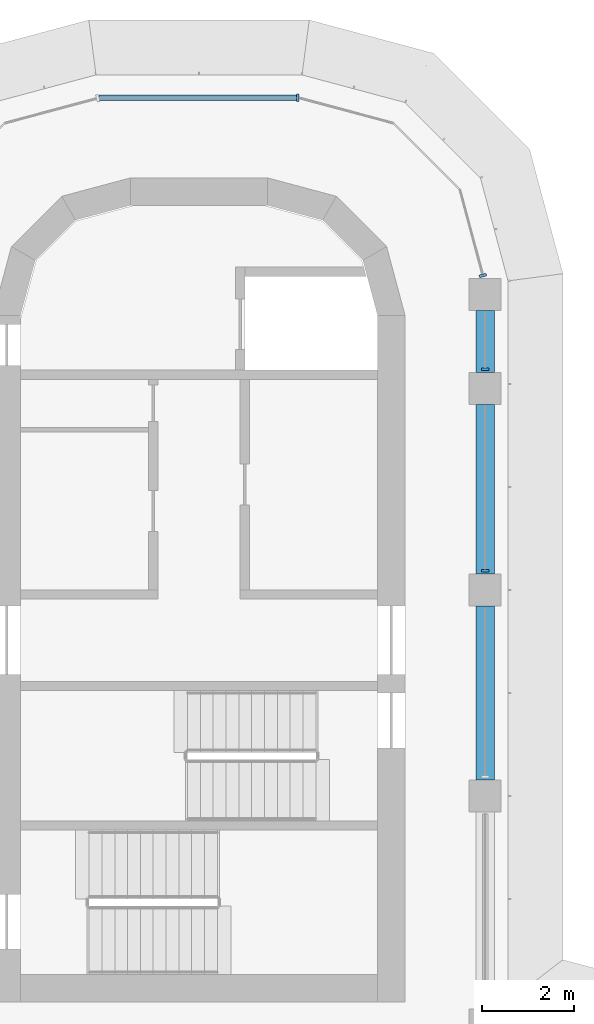
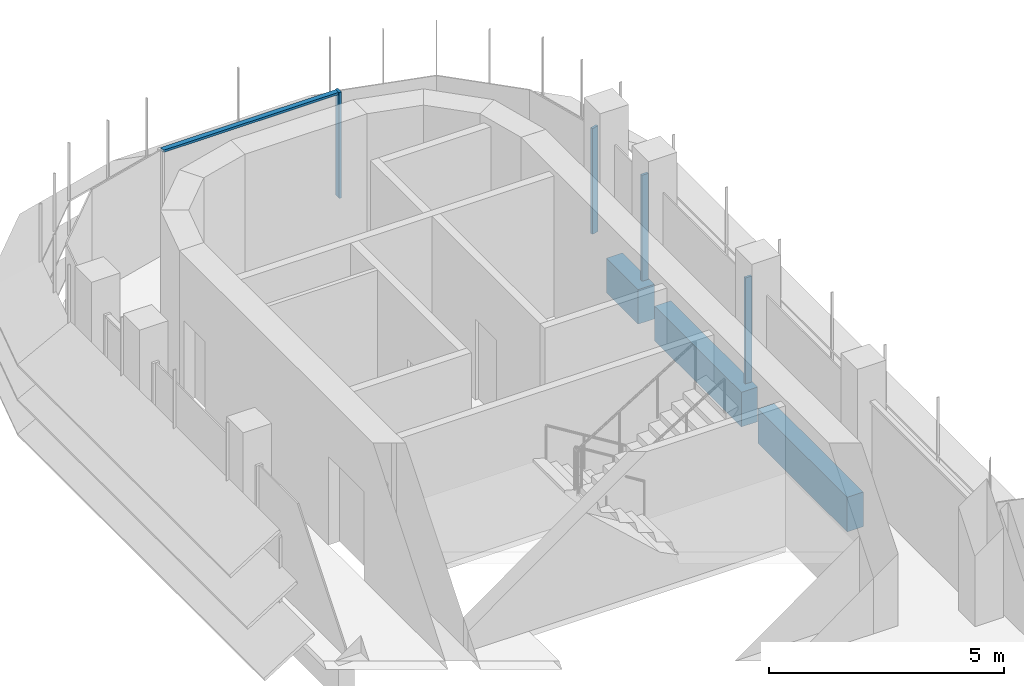
# One storey, part 10 of 19: 5 members, 3 beams, 3 elements without a shape of their own.
"""IFC4 building model written with IfcOpenShell, lengths in metres."""

from ifc_helpers import new_model, si_unit, direction, frame, origin, origin_2d, place, context, subcontext, project, spatial, polyline, rectangle, outline, extrude, source, transform, mapped, material, material_profile, profile_set, type_object, element, aggregate, save


model = new_model("IFC4")

# Units and contexts
model_context = context("Model", 3, precision=1e-05, world=origin(), true_north=direction((0.0, 1.0)))
body_context = subcontext(model_context, "Body", "Model", "MODEL_VIEW")
ifc_project = project(units=[si_unit("LENGTHUNIT", "METRE"), si_unit("AREAUNIT", "SQUARE_METRE"), si_unit("VOLUMEUNIT", "CUBIC_METRE"), si_unit("PLANEANGLEUNIT", "RADIAN"), si_unit("MASSUNIT", "GRAM", prefix="KILO")], contexts=[model_context])

# Site, building, storey
site_placement = place(None, origin())
site = spatial("IfcSite", under=ifc_project, at=site_placement, CompositionType="ELEMENT")
building_placement = place(site_placement, origin())
building = spatial("IfcBuilding", under=site, at=building_placement, Name="Zarbagh Exchange Tower", CompositionType="ELEMENT")
storey_placement = place(building_placement, frame((0.0, 0.0, 203.0)))
storey = spatial("IfcBuildingStorey", under=building, at=storey_placement, Name="L49", CompositionType="ELEMENT", Elevation=203.0)

# Beams
ifc_material_1 = material(Name="Concrete C50/60", Category="concrete")
ifc_material_profile = material_profile(ifc_material_1, rectangle(XDim=0.39990234375, YDim=0.89990234375, at=origin_2d()), Name="RC spandrel beam 400 x 900 C50/60")
ifc_profile_set = profile_set([ifc_material_profile], Name="Concrete C50/60")
beam_type = type_object("IfcBeamType", Name="RC spandrel beam 400 x 900 C50/60", PredefinedType="SPANDREL", material=ifc_profile_set)
beam_1_placement = place(storey_placement, frame((6.25, 26.35009765625, -0.60009765625), z_axis=(0.0, -1.0, 0.0), x_axis=(1.0, 0.0, 0.0)))
element("IfcBeam", 1, at=beam_1_placement, inside=storey, type_object=beam_type, Name="RC spandrel beam", PredefinedType="SPANDREL", context=body_context, shape_type="SweptSolid", body=[
    extrude(rectangle(XDim=0.39990234375, YDim=0.89990234375, at=origin_2d()), origin(), (0.0, 0.0, 1.0), 1.35009765625),
])
beam_2_placement = place(storey_placement, frame((6.25, 24.300048828125, -0.60009765625), z_axis=(0.0, -1.0, 0.0), x_axis=(1.0, 0.0, 0.0)))
element("IfcBeam", 2, at=beam_2_placement, inside=storey, type_object=beam_type, Name="RC spandrel beam", PredefinedType="SPANDREL", context=body_context, shape_type="SweptSolid", body=[
    extrude(rectangle(XDim=0.39990234375, YDim=0.89990234375, at=origin_2d()), origin(), (0.0, 0.0, 1.0), 3.699951171875),
])
beam_3_placement = place(storey_placement, frame((6.25, 19.89990234375, -0.60009765625), z_axis=(0.0, -1.0, 0.0), x_axis=(1.0, 0.0, 0.0)))
element("IfcBeam", 3, at=beam_3_placement, inside=storey, type_object=beam_type, Name="RC spandrel beam", PredefinedType="SPANDREL", context=body_context, shape_type="SweptSolid", body=[
    extrude(rectangle(XDim=0.39990234375, YDim=0.89990234375, at=origin_2d()), origin(), (0.0, 0.0, 1.0), 3.7998046875),
])

# Curtain wall, members
ifc_material_2 = material(Name="Anodised aluminium frame and glazing", Category="aluminium")
curtain_wall_type = type_object("IfcCurtainWallType", Name="CWB Ribbon glazing, upper zones", PredefinedType="NOTDEFINED", material=ifc_material_2)
curtain_wall_1_placement = place(storey_placement, origin())
curtain_wall_1 = element("IfcCurtainWall", 4, at=curtain_wall_1_placement, inside=storey, type_object=curtain_wall_type, Name="CWB20 curtain wall", PredefinedType="NOTDEFINED")
ifc_material_3 = material(Name="Anodised aluminium frame", Category="aluminium")
member_type_1 = type_object("IfcMemberType", Name="MUB Mullion, anodised aluminium frame", PredefinedType="MULLION", material=ifc_material_3)
shared_shape_1 = source(origin(), body_context, "Body", "SweptSolid", [
    extrude(outline(polyline([(0.0, -0.080078125), (0.06005859375, -0.080078125), (0.06005859375, 0.080078125), (0.0, 0.080078125), (0.0, -0.080078125)])), origin(), (0.0, 0.0, 1.0), 2.75),
])
placement = place(storey_placement, origin())
member_1 = element("IfcMember", 5, at=placement, type_object=member_type_1, Name="CWB20 mullion 3.1", PredefinedType="MULLION", context=body_context, shape_type="MappedRepresentation", body=[
    mapped(shared_shape_1, transform((6.25, 20.64013671875, 0.0), x_axis=(0.0, 1.0, 0.0), y_axis=(-1.0, 0.0, 0.0), z_axis=(0.0, 0.0, 1.0))),
])
member_2 = element("IfcMember", 6, at=placement, type_object=member_type_1, Name="CWB20 mullion 4.1", PredefinedType="MULLION", context=body_context, shape_type="MappedRepresentation", body=[
    mapped(shared_shape_1, transform((6.25, 25.0400390625, 0.0), x_axis=(0.0, 1.0, 0.0), y_axis=(-1.0, 0.0, 0.0), z_axis=(0.0, 0.0, 1.0))),
])
aggregate(curtain_wall_1, [member_1, member_2])

# Curtain wall, member
curtain_wall_2_placement = place(storey_placement, origin())
curtain_wall_2 = element("IfcCurtainWall", 7, at=curtain_wall_2_placement, inside=storey, type_object=curtain_wall_type, Name="CWB21 curtain wall", PredefinedType="NOTDEFINED")
member_3 = element("IfcMember", 8, at=placement, type_object=member_type_1, Name="CWB21 mullion 1.1", PredefinedType="MULLION", context=body_context, shape_type="MappedRepresentation", body=[
    mapped(shared_shape_1, transform((6.208251953125, 27.090087890625, 0.0), x_axis=(-0.258824779902, 0.965924289636, 0.0), y_axis=(-0.965924289636, -0.258824779902, 0.0), z_axis=(0.0, 0.0, 1.0))),
])
aggregate(curtain_wall_2, [member_3])

# Curtain wall, members
curtain_wall_3_placement = place(storey_placement, origin())
curtain_wall_3 = element("IfcCurtainWall", 9, at=curtain_wall_3_placement, inside=storey, type_object=curtain_wall_type, Name="CWB24 curtain wall", PredefinedType="NOTDEFINED")
member_4 = element("IfcMember", 10, at=placement, type_object=member_type_1, Name="CWB24 mullion 1.1", PredefinedType="MULLION", context=body_context, shape_type="MappedRepresentation", body=[
    mapped(shared_shape_1, transform((2.18408203125, 31.0, 0.0), x_axis=(-1.0, 0.0, 0.0), y_axis=(0.0, -1.0, 0.0), z_axis=(0.0, 0.0, 1.0))),
])
member_type_2 = type_object("IfcMemberType", Name="TRB Transom, anodised aluminium frame", PredefinedType="USERDEFINED", material=ifc_material_3)
shared_shape_2 = source(origin(), body_context, "Body", "SweptSolid", [
    extrude(outline(polyline([(-0.06005859375, -0.06005859375), (0.0, -0.06005859375), (0.0, 0.06005859375), (-0.06005859375, 0.06005859375), (-0.06005859375, -0.06005859375)])), origin(), (0.0, 0.0, 1.0), 4.308349609375),
])
member_5 = element("IfcMember", 11, at=placement, type_object=member_type_2, Name="CWB24 transom 1.1", ObjectType="TRANSOM", PredefinedType="USERDEFINED", context=body_context, shape_type="MappedRepresentation", body=[
    mapped(shared_shape_2, transform((2.124267578125, 31.0, 2.75), x_axis=(0.0, 0.0, 1.0), y_axis=(0.0, 1.0, 0.0), z_axis=(-1.0, 0.0, 0.0))),
])
aggregate(curtain_wall_3, [member_4, member_5])

save(model, "model.ifc")
